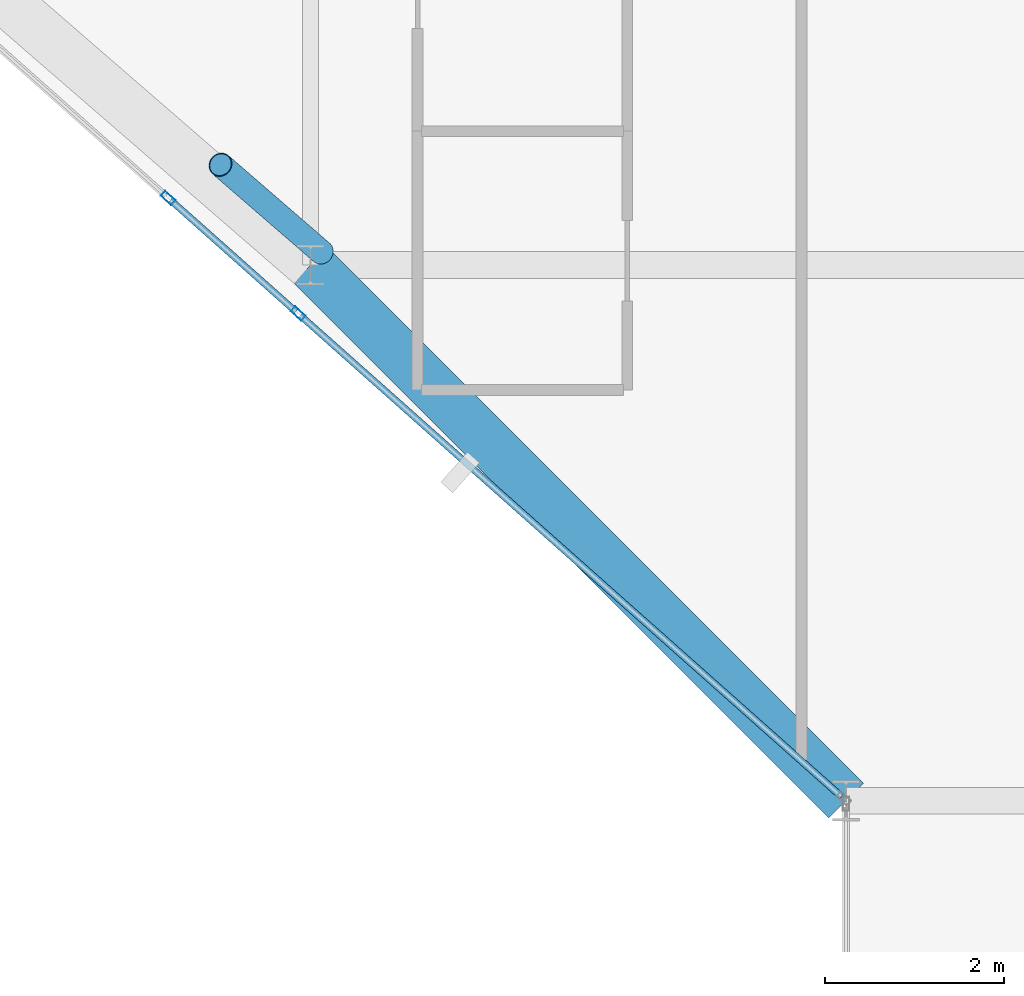
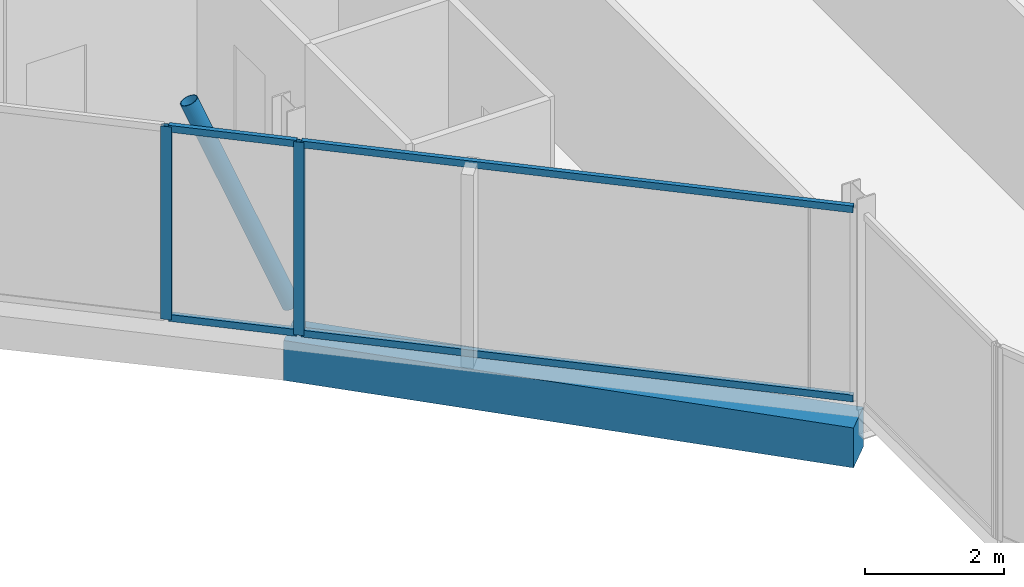
# One storey, part 4 of 29: 7 members, 1 beam, 2 elements without a shape of their own.
"""IFC4 building model written with IfcOpenShell, lengths in metres."""

import ifcopenshell
import ifcopenshell.guid

model = None  # the IFC model being written
_history = None  # IfcOwnerHistory: only IFC2X3 demands one
_inside = {}  # id of a spatial element -> (the spatial element, [elements in it])
_under = {}  # id of a project, library or spatial element -> (it, [spatial elements below it])
_declared = {}  # id of a project -> (the project, [libraries it declares])
_typed = {}  # id of a type object -> (the type object, [elements of that type])
_made_of = {}  # id of a material, layer set ... -> (it, [elements and type objects made of it])


def new_model(schema):
    """Start an empty IFC model of exactly this schema.

    Asked for "IFC4X3", IfcOpenShell would pick the latest addendum, in which some entities
    have other attributes; the version numbers below select the first issue.
    IFC2X3 requires an IfcOwnerHistory on every rooted entity: one is made here for all.
    """
    global model, _history
    if schema == "IFC4X3":
        model = ifcopenshell.file(schema_version=(4, 3, 0, 0))
    else:
        model = ifcopenshell.file(schema=schema)
    _inside.clear()
    _under.clear()
    _declared.clear()
    _typed.clear()
    _made_of.clear()
    _history = None
    if model.schema == "IFC2X3":
        org = make("IfcOrganization", Name="unknown")
        user = make(
            "IfcPersonAndOrganization",
            ThePerson=make("IfcPerson", FamilyName="unknown"),
            TheOrganization=org,
        )
        app = make(
            "IfcApplication",
            ApplicationDeveloper=org,
            Version="unknown",
            ApplicationFullName="unknown",
            ApplicationIdentifier="unknown",
        )
        _history = make(
            "IfcOwnerHistory",
            OwningUser=user,
            OwningApplication=app,
            ChangeAction="ADDED",
            CreationDate=0,
        )
    return model


def make(cls, **values):
    """One entity of the class cls with the attributes given. An attribute that is None is left unset."""
    return model.create_entity(
        cls, **{name: value for name, value in values.items() if value is not None}
    )


def rooted(cls, **values):
    """An entity with a GlobalId (a new one), such as an element, a storey or a relation."""
    return make(cls, GlobalId=ifcopenshell.guid.new(), OwnerHistory=_history, **values)


def si_unit(unit_type, name, prefix=None):
    """IfcSIUnit, for example si_unit("LENGTHUNIT", "METRE", prefix="MILLI")."""
    return make("IfcSIUnit", UnitType=unit_type, Prefix=prefix, Name=name)


def assignment(units):
    """IfcUnitAssignment: the units of a project."""
    return None if units is None else make("IfcUnitAssignment", Units=units)


def point(xyz):
    """IfcCartesianPoint."""
    return None if xyz is None else make("IfcCartesianPoint", Coordinates=xyz)


def direction(xyz):
    """IfcDirection."""
    return None if xyz is None else make("IfcDirection", DirectionRatios=xyz)


def frame(location, z_axis=None, x_axis=None):
    """IfcAxis2Placement3D, a coordinate frame: its origin and axes. An axis left out is left unset."""
    return make(
        "IfcAxis2Placement3D",
        Location=point(location),
        Axis=direction(z_axis),
        RefDirection=direction(x_axis),
    )


def frame_2d(location, x_axis=None):
    """IfcAxis2Placement2D, a coordinate frame in the plane: its origin and x axis."""
    return make(
        "IfcAxis2Placement2D", Location=point(location), RefDirection=direction(x_axis)
    )


def origin():
    """The frame at (0, 0, 0) with its axes left unset."""
    return frame((0.0, 0.0, 0.0))


def origin_2d():
    """The frame at (0, 0) in the plane with its x axis left unset."""
    return frame_2d((0.0, 0.0))


def place(relative_to, where):
    """IfcLocalPlacement: puts the frame where relative to a parent placement (None: the world)."""
    return make(
        "IfcLocalPlacement", PlacementRelTo=relative_to, RelativePlacement=where
    )


def context(
    kind, dimensions, precision=None, world=None, true_north=None, identifier=None
):
    """IfcGeometricRepresentationContext, for example the 3D "Model" context."""
    return make(
        "IfcGeometricRepresentationContext",
        ContextIdentifier=identifier,
        ContextType=kind,
        CoordinateSpaceDimension=dimensions,
        Precision=precision,
        WorldCoordinateSystem=world,
        TrueNorth=true_north,
    )


def subcontext(parent, identifier, kind, view, scale=None):
    """IfcGeometricRepresentationSubContext, for example "Body" below "Model"."""
    return make(
        "IfcGeometricRepresentationSubContext",
        ContextIdentifier=identifier,
        ContextType=kind,
        ParentContext=parent,
        TargetScale=scale,
        TargetView=view,
    )


def project(units=None, contexts=None):
    """IfcProject with its units and contexts."""
    return rooted(
        "IfcProject",
        Name="project",
        RepresentationContexts=contexts,
        UnitsInContext=assignment(units),
    )


def spatial(cls, under=None, at=None, **own):
    """A site, building, storey or space (cls), placed at a placement, below another one or the project."""
    s = rooted(cls, ObjectPlacement=at, **own)
    if under is not None:
        _under.setdefault(under.id(), (under, []))[1].append(s)
    return s


def profile(cls, at=None, kind="AREA", **sizes):
    """A parametric profile (cls). Its sizes go by their IFC names, for example OverallWidth=200.0."""
    return make(cls, ProfileType=kind, Position=at, **sizes)


def rectangle(**sizes):
    """IfcRectangleProfileDef."""
    return profile("IfcRectangleProfileDef", **sizes)


def hollow_rectangle(**sizes):
    """IfcRectangleHollowProfileDef."""
    return profile("IfcRectangleHollowProfileDef", **sizes)


def hollow_circle(**sizes):
    """IfcCircleHollowProfileDef."""
    return profile("IfcCircleHollowProfileDef", **sizes)


def extrude(swept, where, along, depth):
    """IfcExtrudedAreaSolid: the profile swept, set in the frame where, extruded along a direction by depth."""
    return make(
        "IfcExtrudedAreaSolid",
        SweptArea=swept,
        Position=where,
        ExtrudedDirection=direction(along),
        Depth=depth,
    )


def shape(context_of_items, identifier, shape_type, items):
    """IfcShapeRepresentation: the items that make up one representation, for example the "Body"."""
    return make(
        "IfcShapeRepresentation",
        ContextOfItems=context_of_items,
        RepresentationIdentifier=identifier,
        RepresentationType=shape_type,
        Items=items,
    )


def material(Name=None, Category=None):
    """IfcMaterial."""
    return make("IfcMaterial", Name=Name, Category=Category)


def layer(
    of_material, thickness, ventilated=None, Name=None, Category=None, Priority=None
):
    """IfcMaterialLayer: one layer of a wall or slab, of a material (None: an air gap)."""
    return make(
        "IfcMaterialLayer",
        Material=of_material,
        LayerThickness=thickness,
        IsVentilated=ventilated,
        Name=Name,
        Category=Category,
        Priority=Priority,
    )


def layer_set(layers, Name=None):
    """IfcMaterialLayerSet."""
    return make("IfcMaterialLayerSet", MaterialLayers=layers, LayerSetName=Name)


def material_profile(
    of_material, cross_section, Name=None, Category=None, Priority=None
):
    """IfcMaterialProfile: a cross section and its material."""
    return make(
        "IfcMaterialProfile",
        Name=Name,
        Material=of_material,
        Profile=cross_section,
        Priority=Priority,
        Category=Category,
    )


def profile_set(profiles, Name=None, composite=None):
    """IfcMaterialProfileSet."""
    return make(
        "IfcMaterialProfileSet",
        Name=Name,
        MaterialProfiles=profiles,
        CompositeProfile=composite,
    )


def made_of(thing, what):
    """Note that an element or type object is made of a material, layer set ...; save() writes the relation."""
    if what is not None:
        _made_of.setdefault(what.id(), (what, []))[1].append(thing)
    return thing


def type_object(cls, material=None, **own):
    """A type object (cls), such as IfcWallType, which elements share."""
    return made_of(rooted(cls, **own), material)


def element(
    cls,
    number,
    at=None,
    inside=None,
    cuts=None,
    type_object=None,
    material=None,
    context=None,
    identifier="Body",
    shape_type=None,
    held_by="IfcProductDefinitionShape",
    body=None,
    shapes=None,
    **own,
):
    """One element of the class cls, such as IfcWall. Its Tag is "e" and its number.

    at: its placement. inside: the storey or other place that contains it. cuts: it is an
    opening in that element (IfcRelVoidsElement). A single representation is given by context,
    identifier, shape_type and body (its items); several are given by shapes. held_by: the class
    of the entity that holds the representations. save() writes the other relations.
    """
    e = rooted(cls, Tag="e%d" % number, ObjectPlacement=at, **own)
    if body is not None:
        shapes = [shape(context, identifier, shape_type, body)]
    if shapes is not None:
        e.Representation = make(held_by, Representations=shapes)
    if inside is not None:
        _inside.setdefault(inside.id(), (inside, []))[1].append(e)
    if cuts is not None:
        rooted(
            "IfcRelVoidsElement", RelatingBuildingElement=cuts, RelatedOpeningElement=e
        )
    if type_object is not None:
        _typed.setdefault(type_object.id(), (type_object, []))[1].append(e)
    return made_of(e, material)


def aggregate(whole, parts):
    """IfcRelAggregates: a whole, such as a stair, and the parts it consists of."""
    return rooted("IfcRelAggregates", RelatingObject=whole, RelatedObjects=parts)


def save(model, path):
    """Write the relations noted so far, then the file.

    IfcRelAggregates (storeys below a building ...), IfcRelContainedInSpatialStructure (elements
    in a storey), IfcRelDefinesByType, IfcRelAssociatesMaterial and IfcRelDeclares: one each for
    every whole, place, type object, material and project.
    """
    for whole, parts in _under.values():
        aggregate(whole, parts)
    for where, things in _inside.values():
        rooted(
            "IfcRelContainedInSpatialStructure",
            RelatedElements=things,
            RelatingStructure=where,
        )
    for kind, things in _typed.values():
        rooted("IfcRelDefinesByType", RelatedObjects=things, RelatingType=kind)
    for what, things in _made_of.values():
        rooted("IfcRelAssociatesMaterial", RelatedObjects=things, RelatingMaterial=what)
    for by, libraries in _declared.values():
        rooted("IfcRelDeclares", RelatingContext=by, RelatedDefinitions=libraries)
    model.write(path)


model = new_model("IFC4")

# Units and contexts
model_context = context("Model", 3, precision=1e-05, world=origin(), true_north=direction((0.0, 1.0)))
body_context = subcontext(model_context, "Body", "Model", "MODEL_VIEW")
ifc_project = project(units=[si_unit("LENGTHUNIT", "METRE"), si_unit("AREAUNIT", "SQUARE_METRE"), si_unit("VOLUMEUNIT", "CUBIC_METRE"), si_unit("PLANEANGLEUNIT", "RADIAN"), si_unit("MASSUNIT", "GRAM", prefix="KILO")], contexts=[model_context])

# Site, building, storey
site_placement = place(None, origin())
site = spatial("IfcSite", under=ifc_project, at=site_placement, CompositionType="ELEMENT")
building_placement = place(site_placement, origin())
building = spatial("IfcBuilding", under=site, at=building_placement, Name="Keshet Zoharim Tower", CompositionType="ELEMENT")
storey_placement = place(building_placement, frame((0.0, 0.0, 226.5)))
storey = spatial("IfcBuildingStorey", under=building, at=storey_placement, Name="L56", CompositionType="ELEMENT", Elevation=226.5)

# Beam
ifc_material_1 = material(Name="Concrete C50/60", Category="concrete")
ifc_material_profile_1 = material_profile(ifc_material_1, rectangle(XDim=0.550048828125, YDim=0.699951171875, at=origin_2d()), Name="RC700x550")
ifc_profile_set_1 = profile_set([ifc_material_profile_1], Name="Concrete C50/60")
beam_type = type_object("IfcBeamType", Name="BM-SPN-700", PredefinedType="SPANDREL", material=ifc_profile_set_1)
beam_placement = place(storey_placement, frame((21.0, 6.699951171875, -0.659912109375), z_axis=(-0.707106781187, 0.707106781187, 0.0), x_axis=(-0.707106781187, -0.707106781187, 0.0)))
element("IfcBeam", 1, at=beam_placement, inside=storey, type_object=beam_type, Name="L56 Perimeter Spandrel Beam 01", PredefinedType="SPANDREL", context=body_context, shape_type="SweptSolid", body=[
    extrude(rectangle(XDim=0.550048828125, YDim=0.699951171875, at=origin_2d()), origin(), (0.0, 0.0, 1.0), 8.4853515625),
])

# Curtain wall, member
ifc_material_2 = material(Name="Aluminium 6063-T6", Category="aluminium")
ifc_layer = layer(ifc_material_2, 0.139892578125)
ifc_layer_set = layer_set([ifc_layer], Name="Aluminium 6063-T6")
curtain_wall_type = type_object("IfcCurtainWallType", Name="CW-SYS-05", PredefinedType="NOTDEFINED", material=ifc_layer_set)
curtain_wall_1_placement = place(storey_placement, origin())
curtain_wall_1 = element("IfcCurtainWall", 2, at=curtain_wall_1_placement, inside=storey, type_object=curtain_wall_type, Name="L56 Unitised Curtain Wall 10", PredefinedType="NOTDEFINED")
ifc_material_profile_2 = material_profile(ifc_material_2, hollow_rectangle(XDim=0.074951171875, YDim=0.159912109375, WallThickness=0.00390625, at=origin_2d()), Name="MUL-75x160")
ifc_profile_set_2 = profile_set([ifc_material_profile_2], Name="Aluminium 6063-T6")
member_type_1 = type_object("IfcMemberType", Name="CWM-M15", PredefinedType="MULLION", material=ifc_profile_set_2)
member_1_placement = place(storey_placement, frame((14.863037109375, 12.155029296875, 0.0), z_axis=(0.0, 0.0, 1.0), x_axis=(-0.664363086114, -0.747409987764, 0.0)))
member_1 = element("IfcMember", 3, at=member_1_placement, type_object=member_type_1, Name="CW-05 mullion 2", PredefinedType="MULLION", context=body_context, shape_type="SweptSolid", body=[
    extrude(hollow_rectangle(XDim=0.074951171875, YDim=0.159912109375, WallThickness=0.00390625, at=origin_2d()), origin(), (0.0, 0.0, 1.0), 3.389892578125),
])

curtain_wall_2_placement = place(storey_placement, origin())
curtain_wall_2 = element("IfcCurtainWall", 4, at=curtain_wall_2_placement, inside=storey, type_object=curtain_wall_type, Name="L56 Unitised Curtain Wall 10 Part 2", PredefinedType="NOTDEFINED")
member_2_placement = place(storey_placement, frame((13.40576171875, 13.450439453125, 0.0), z_axis=(0.0, 0.0, 1.0), x_axis=(-0.664367022375, -0.747406488853, 0.0)))
member_2 = element("IfcMember", 5, at=member_2_placement, type_object=member_type_1, Name="CW-05 mullion 2", PredefinedType="MULLION", context=body_context, shape_type="SweptSolid", body=[
    extrude(hollow_rectangle(XDim=0.074951171875, YDim=0.159912109375, WallThickness=0.00390625, at=origin_2d()), origin(), (0.0, 0.0, 1.0), 3.389892578125),
])

# Member
ifc_material_profile_3 = material_profile(ifc_material_2, hollow_rectangle(XDim=0.074951171875, YDim=0.1201171875, WallThickness=0.00390625, at=origin_2d()), Name="TRN-75x120")
ifc_profile_set_3 = profile_set([ifc_material_profile_3], Name="Aluminium 6063-T6")
member_type_2 = type_object("IfcMemberType", Name="CWT-T12", PredefinedType="USERDEFINED", material=ifc_profile_set_3)
member_3_placement = place(storey_placement, frame((20.94775390625, 6.74658203125, 0.034912109375), z_axis=(-0.747419288843, 0.664352622231, 0.0), x_axis=(-0.664352622231, -0.747419288843, 0.0)))
member_3 = element("IfcMember", 6, at=member_3_placement, type_object=member_type_2, Name="CW-05 transom 1.1", ObjectType="TRANSOM", PredefinedType="USERDEFINED", context=body_context, shape_type="SweptSolid", body=[
    extrude(hollow_rectangle(XDim=0.074951171875, YDim=0.1201171875, WallThickness=0.00390625, at=origin_2d()), origin(), (0.0, 0.0, 1.0), 8.10595703125),
])

member_4_placement = place(storey_placement, frame((20.94775390625, 6.74658203125, 3.35498046875), z_axis=(-0.747419288843, 0.664352622231, 0.0), x_axis=(-0.664352622231, -0.747419288843, 0.0)))
member_4 = element("IfcMember", 7, at=member_4_placement, type_object=member_type_2, Name="CW-05 transom 1.2", ObjectType="TRANSOM", PredefinedType="USERDEFINED", context=body_context, shape_type="SweptSolid", body=[
    extrude(hollow_rectangle(XDim=0.074951171875, YDim=0.1201171875, WallThickness=0.00390625, at=origin_2d()), origin(), (0.0, 0.0, 1.0), 8.10595703125),
])

aggregate(curtain_wall_1, [member_1, member_3, member_4])

member_5_placement = place(storey_placement, frame((14.8369140625, 12.17822265625, 0.034912109375), z_axis=(-0.747387819236, 0.66438802492, 0.0), x_axis=(-0.66438802492, -0.747387819236, 0.0)))
member_5 = element("IfcMember", 8, at=member_5_placement, type_object=member_type_2, Name="CW-05 transom 1.1", ObjectType="TRANSOM", PredefinedType="USERDEFINED", context=body_context, shape_type="SweptSolid", body=[
    extrude(hollow_rectangle(XDim=0.074951171875, YDim=0.1201171875, WallThickness=0.00390625, at=origin_2d()), origin(), (0.0, 0.0, 1.0), 1.879638671875),
])

member_6_placement = place(storey_placement, frame((14.8369140625, 12.17822265625, 3.35498046875), z_axis=(-0.747387819236, 0.66438802492, 0.0), x_axis=(-0.66438802492, -0.747387819236, 0.0)))
member_6 = element("IfcMember", 9, at=member_6_placement, type_object=member_type_2, Name="CW-05 transom 1.2", ObjectType="TRANSOM", PredefinedType="USERDEFINED", context=body_context, shape_type="SweptSolid", body=[
    extrude(hollow_rectangle(XDim=0.074951171875, YDim=0.1201171875, WallThickness=0.00390625, at=origin_2d()), origin(), (0.0, 0.0, 1.0), 1.879638671875),
])

aggregate(curtain_wall_2, [member_2, member_5, member_6])

ifc_material_3 = material(Name="Steel S355", Category="steel")
ifc_material_profile_4 = material_profile(ifc_material_3, hollow_circle(Radius=0.136474609375, WallThickness=0.010009765625, at=origin_2d()), Name="CHS273x10")
ifc_profile_set_4 = profile_set([ifc_material_profile_4], Name="Steel S355")
member_type_3 = type_object("IfcMemberType", Name="MB-BR-C273", PredefinedType="BRACE", material=ifc_profile_set_4)
member_7_placement = place(storey_placement, frame((15.1259765625, 12.842041015625, 0.0), z_axis=(-0.305919508672, 0.264888754334, 0.914465528077), x_axis=(-0.654589683411, -0.755984355904, 0.0)))
element("IfcMember", 10, at=member_7_placement, inside=storey, type_object=member_type_3, Name="L56 Perimeter Tube Brace 01", PredefinedType="BRACE", context=body_context, shape_type="SweptSolid", body=[
    extrude(hollow_circle(Radius=0.136474609375, WallThickness=0.010009765625, at=origin_2d()), origin(), (0.0, 0.0, 1.0), 3.70703125),
])

save(model, "model.ifc")
